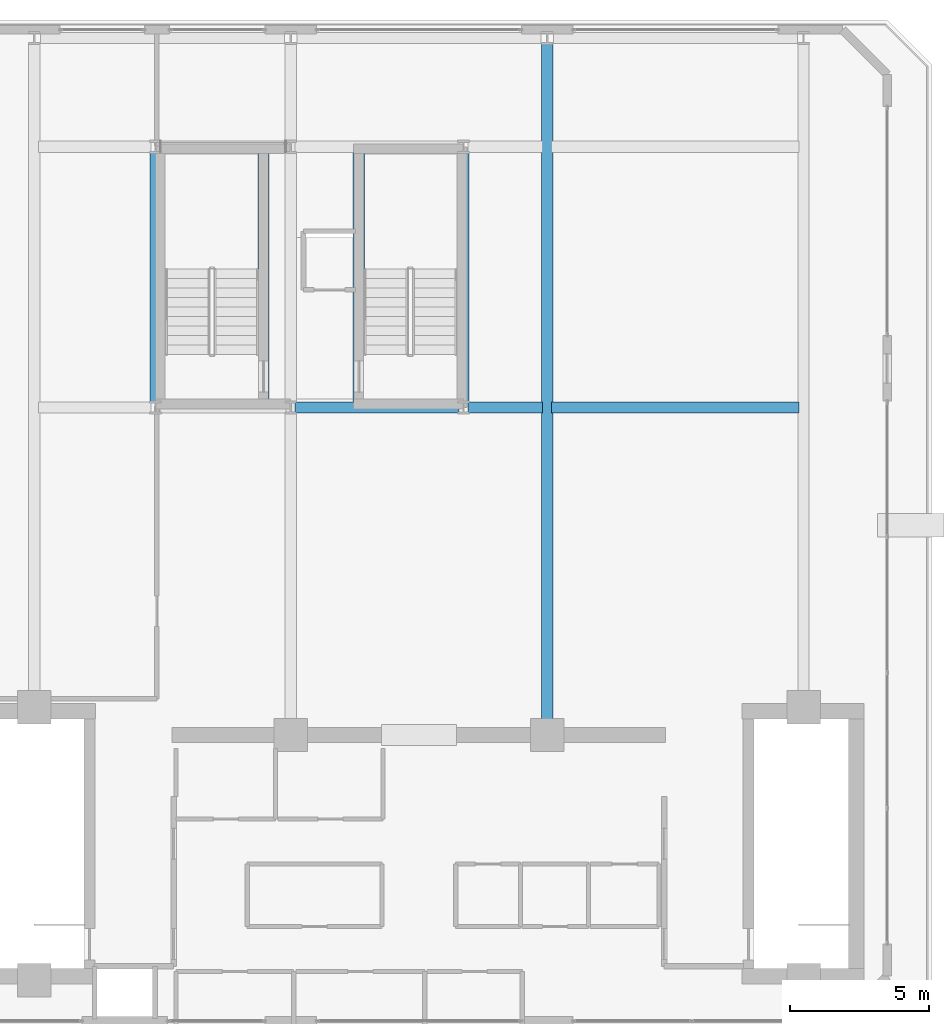
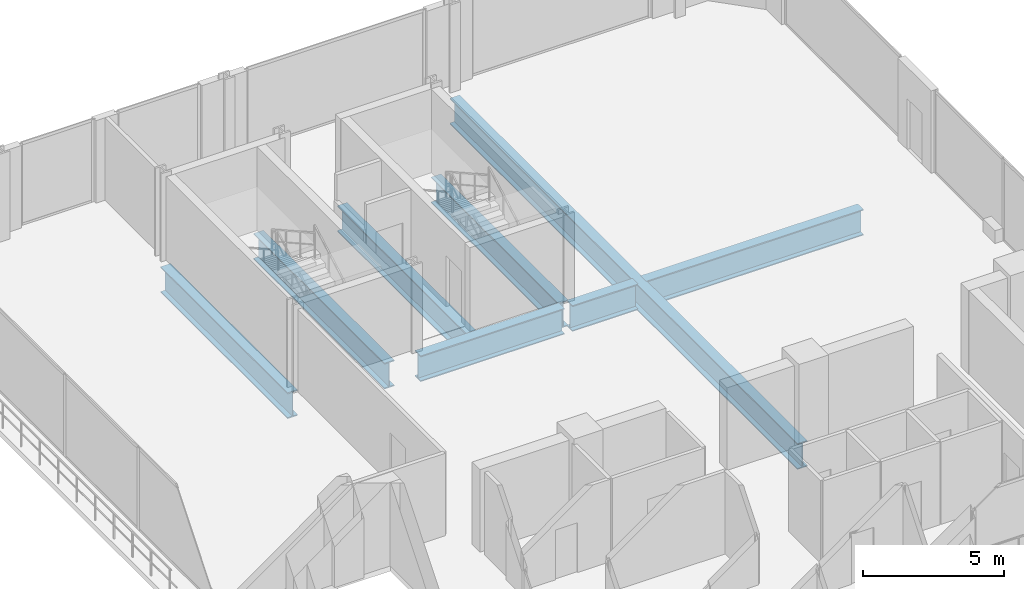
# One storey, part 11 of 26: 8 beams.
"""IFC4 building model written with IfcOpenShell, lengths in metres."""

import ifcopenshell
import ifcopenshell.guid

model = None  # the IFC model being written
_history = None  # IfcOwnerHistory: only IFC2X3 demands one
_inside = {}  # id of a spatial element -> (the spatial element, [elements in it])
_under = {}  # id of a project, library or spatial element -> (it, [spatial elements below it])
_declared = {}  # id of a project -> (the project, [libraries it declares])
_typed = {}  # id of a type object -> (the type object, [elements of that type])
_made_of = {}  # id of a material, layer set ... -> (it, [elements and type objects made of it])


def new_model(schema):
    """Start an empty IFC model of exactly this schema.

    Asked for "IFC4X3", IfcOpenShell would pick the latest addendum, in which some entities
    have other attributes; the version numbers below select the first issue.
    IFC2X3 requires an IfcOwnerHistory on every rooted entity: one is made here for all.
    """
    global model, _history
    if schema == "IFC4X3":
        model = ifcopenshell.file(schema_version=(4, 3, 0, 0))
    else:
        model = ifcopenshell.file(schema=schema)
    _inside.clear()
    _under.clear()
    _declared.clear()
    _typed.clear()
    _made_of.clear()
    _history = None
    if model.schema == "IFC2X3":
        org = make("IfcOrganization", Name="unknown")
        user = make(
            "IfcPersonAndOrganization",
            ThePerson=make("IfcPerson", FamilyName="unknown"),
            TheOrganization=org,
        )
        app = make(
            "IfcApplication",
            ApplicationDeveloper=org,
            Version="unknown",
            ApplicationFullName="unknown",
            ApplicationIdentifier="unknown",
        )
        _history = make(
            "IfcOwnerHistory",
            OwningUser=user,
            OwningApplication=app,
            ChangeAction="ADDED",
            CreationDate=0,
        )
    return model


def make(cls, **values):
    """One entity of the class cls with the attributes given. An attribute that is None is left unset."""
    return model.create_entity(
        cls, **{name: value for name, value in values.items() if value is not None}
    )


def rooted(cls, **values):
    """An entity with a GlobalId (a new one), such as an element, a storey or a relation."""
    return make(cls, GlobalId=ifcopenshell.guid.new(), OwnerHistory=_history, **values)


def si_unit(unit_type, name, prefix=None):
    """IfcSIUnit, for example si_unit("LENGTHUNIT", "METRE", prefix="MILLI")."""
    return make("IfcSIUnit", UnitType=unit_type, Prefix=prefix, Name=name)


def assignment(units):
    """IfcUnitAssignment: the units of a project."""
    return None if units is None else make("IfcUnitAssignment", Units=units)


def point(xyz):
    """IfcCartesianPoint."""
    return None if xyz is None else make("IfcCartesianPoint", Coordinates=xyz)


def direction(xyz):
    """IfcDirection."""
    return None if xyz is None else make("IfcDirection", DirectionRatios=xyz)


def frame(location, z_axis=None, x_axis=None):
    """IfcAxis2Placement3D, a coordinate frame: its origin and axes. An axis left out is left unset."""
    return make(
        "IfcAxis2Placement3D",
        Location=point(location),
        Axis=direction(z_axis),
        RefDirection=direction(x_axis),
    )


def frame_2d(location, x_axis=None):
    """IfcAxis2Placement2D, a coordinate frame in the plane: its origin and x axis."""
    return make(
        "IfcAxis2Placement2D", Location=point(location), RefDirection=direction(x_axis)
    )


def origin():
    """The frame at (0, 0, 0) with its axes left unset."""
    return frame((0.0, 0.0, 0.0))


def origin_2d():
    """The frame at (0, 0) in the plane with its x axis left unset."""
    return frame_2d((0.0, 0.0))


def place(relative_to, where):
    """IfcLocalPlacement: puts the frame where relative to a parent placement (None: the world)."""
    return make(
        "IfcLocalPlacement", PlacementRelTo=relative_to, RelativePlacement=where
    )


def context(
    kind, dimensions, precision=None, world=None, true_north=None, identifier=None
):
    """IfcGeometricRepresentationContext, for example the 3D "Model" context."""
    return make(
        "IfcGeometricRepresentationContext",
        ContextIdentifier=identifier,
        ContextType=kind,
        CoordinateSpaceDimension=dimensions,
        Precision=precision,
        WorldCoordinateSystem=world,
        TrueNorth=true_north,
    )


def subcontext(parent, identifier, kind, view, scale=None):
    """IfcGeometricRepresentationSubContext, for example "Body" below "Model"."""
    return make(
        "IfcGeometricRepresentationSubContext",
        ContextIdentifier=identifier,
        ContextType=kind,
        ParentContext=parent,
        TargetScale=scale,
        TargetView=view,
    )


def project(units=None, contexts=None):
    """IfcProject with its units and contexts."""
    return rooted(
        "IfcProject",
        Name="project",
        RepresentationContexts=contexts,
        UnitsInContext=assignment(units),
    )


def spatial(cls, under=None, at=None, **own):
    """A site, building, storey or space (cls), placed at a placement, below another one or the project."""
    s = rooted(cls, ObjectPlacement=at, **own)
    if under is not None:
        _under.setdefault(under.id(), (under, []))[1].append(s)
    return s


def profile(cls, at=None, kind="AREA", **sizes):
    """A parametric profile (cls). Its sizes go by their IFC names, for example OverallWidth=200.0."""
    return make(cls, ProfileType=kind, Position=at, **sizes)


def i_section(**sizes):
    """IfcIShapeProfileDef."""
    return profile("IfcIShapeProfileDef", **sizes)


def extrude(swept, where, along, depth):
    """IfcExtrudedAreaSolid: the profile swept, set in the frame where, extruded along a direction by depth."""
    return make(
        "IfcExtrudedAreaSolid",
        SweptArea=swept,
        Position=where,
        ExtrudedDirection=direction(along),
        Depth=depth,
    )


def shape(context_of_items, identifier, shape_type, items):
    """IfcShapeRepresentation: the items that make up one representation, for example the "Body"."""
    return make(
        "IfcShapeRepresentation",
        ContextOfItems=context_of_items,
        RepresentationIdentifier=identifier,
        RepresentationType=shape_type,
        Items=items,
    )


def material(Name=None, Category=None):
    """IfcMaterial."""
    return make("IfcMaterial", Name=Name, Category=Category)


def material_profile(
    of_material, cross_section, Name=None, Category=None, Priority=None
):
    """IfcMaterialProfile: a cross section and its material."""
    return make(
        "IfcMaterialProfile",
        Name=Name,
        Material=of_material,
        Profile=cross_section,
        Priority=Priority,
        Category=Category,
    )


def profile_set(profiles, Name=None, composite=None):
    """IfcMaterialProfileSet."""
    return make(
        "IfcMaterialProfileSet",
        Name=Name,
        MaterialProfiles=profiles,
        CompositeProfile=composite,
    )


def made_of(thing, what):
    """Note that an element or type object is made of a material, layer set ...; save() writes the relation."""
    if what is not None:
        _made_of.setdefault(what.id(), (what, []))[1].append(thing)
    return thing


def type_object(cls, material=None, **own):
    """A type object (cls), such as IfcWallType, which elements share."""
    return made_of(rooted(cls, **own), material)


def element(
    cls,
    number,
    at=None,
    inside=None,
    cuts=None,
    type_object=None,
    material=None,
    context=None,
    identifier="Body",
    shape_type=None,
    held_by="IfcProductDefinitionShape",
    body=None,
    shapes=None,
    **own,
):
    """One element of the class cls, such as IfcWall. Its Tag is "e" and its number.

    at: its placement. inside: the storey or other place that contains it. cuts: it is an
    opening in that element (IfcRelVoidsElement). A single representation is given by context,
    identifier, shape_type and body (its items); several are given by shapes. held_by: the class
    of the entity that holds the representations. save() writes the other relations.
    """
    e = rooted(cls, Tag="e%d" % number, ObjectPlacement=at, **own)
    if body is not None:
        shapes = [shape(context, identifier, shape_type, body)]
    if shapes is not None:
        e.Representation = make(held_by, Representations=shapes)
    if inside is not None:
        _inside.setdefault(inside.id(), (inside, []))[1].append(e)
    if cuts is not None:
        rooted(
            "IfcRelVoidsElement", RelatingBuildingElement=cuts, RelatedOpeningElement=e
        )
    if type_object is not None:
        _typed.setdefault(type_object.id(), (type_object, []))[1].append(e)
    return made_of(e, material)


def aggregate(whole, parts):
    """IfcRelAggregates: a whole, such as a stair, and the parts it consists of."""
    return rooted("IfcRelAggregates", RelatingObject=whole, RelatedObjects=parts)


def save(model, path):
    """Write the relations noted so far, then the file.

    IfcRelAggregates (storeys below a building ...), IfcRelContainedInSpatialStructure (elements
    in a storey), IfcRelDefinesByType, IfcRelAssociatesMaterial and IfcRelDeclares: one each for
    every whole, place, type object, material and project.
    """
    for whole, parts in _under.values():
        aggregate(whole, parts)
    for where, things in _inside.values():
        rooted(
            "IfcRelContainedInSpatialStructure",
            RelatedElements=things,
            RelatingStructure=where,
        )
    for kind, things in _typed.values():
        rooted("IfcRelDefinesByType", RelatedObjects=things, RelatingType=kind)
    for what, things in _made_of.values():
        rooted("IfcRelAssociatesMaterial", RelatedObjects=things, RelatingMaterial=what)
    for by, libraries in _declared.values():
        rooted("IfcRelDeclares", RelatingContext=by, RelatedDefinitions=libraries)
    model.write(path)


model = new_model("IFC4")

# Units and contexts
model_context = context("Model", 3, precision=1e-05, world=origin(), true_north=direction((0.0, 1.0)))
body_context = subcontext(model_context, "Body", "Model", "MODEL_VIEW")
ifc_project = project(units=[si_unit("LENGTHUNIT", "METRE"), si_unit("AREAUNIT", "SQUARE_METRE"), si_unit("VOLUMEUNIT", "CUBIC_METRE"), si_unit("PLANEANGLEUNIT", "RADIAN"), si_unit("MASSUNIT", "GRAM", prefix="KILO")], contexts=[model_context])

# Site, building, storey
site_placement = place(None, origin())
site = spatial("IfcSite", under=ifc_project, at=site_placement, CompositionType="ELEMENT")
building_placement = place(site_placement, origin())
building = spatial("IfcBuilding", under=site, at=building_placement, Name="Zuhayl Quay Hotel", CompositionType="ELEMENT")
storey_placement = place(building_placement, frame((0.0, 0.0, 301.050048828125)))
storey = spatial("IfcBuildingStorey", under=building, at=storey_placement, Name="Crown 2", CompositionType="ELEMENT", Elevation=301.050048828125)

# Beams
ifc_material = material(Name="Steel ASTM A913 Grade 65", Category="steel")
ifc_material_profile = material_profile(ifc_material, i_section(OverallWidth=0.404052734375, OverallDepth=1.117919921875, WebThickness=0.026123046875, FlangeThickness=0.044921875, at=origin_2d()), Name="W44X335")
ifc_profile_set = profile_set([ifc_material_profile], Name="Steel ASTM A913 Grade 65")
beam_type = type_object("IfcBeamType", Name="BM_TG1_W44X335", PredefinedType="BEAM", material=ifc_profile_set)
beam_1_placement = place(storey_placement, frame((4.60009765625, 13.550048828125, -0.799072265625), z_axis=(0.0, 1.0, 0.0), x_axis=(-1.0, 0.0, 0.0)))
element("IfcBeam", 1, at=beam_1_placement, inside=storey, type_object=beam_type, Name="Crown 2 Floor Beam CR_NS_2_3", PredefinedType="BEAM", context=body_context, shape_type="SweptSolid", body=[
    extrude(i_section(OverallWidth=0.404052734375, OverallDepth=1.117919921875, WebThickness=0.026123046875, FlangeThickness=0.044921875, at=origin_2d()), origin(), (0.0, 0.0, 1.0), 24.599853515625),
])
beam_2_placement = place(storey_placement, frame((-4.43994140625, 25.10009765625, -0.799072265625), z_axis=(1.0, 0.0, 0.0), x_axis=(0.0, 1.0, 0.0)))
element("IfcBeam", 2, at=beam_2_placement, inside=storey, type_object=beam_type, Name="Crown 2 Floor Beam CR_EW_2_1_3", PredefinedType="BEAM", context=body_context, shape_type="SweptSolid", body=[
    extrude(i_section(OverallWidth=0.404052734375, OverallDepth=1.117919921875, WebThickness=0.026123046875, FlangeThickness=0.044921875, at=origin_2d()), origin(), (0.0, 0.0, 1.0), 5.8798828125),
])
beam_3_placement = place(storey_placement, frame((1.760009765625, 25.10009765625, -0.799072265625), z_axis=(1.0, 0.0, 0.0), x_axis=(0.0, 1.0, 0.0)))
element("IfcBeam", 3, at=beam_3_placement, inside=storey, type_object=beam_type, Name="Crown 2 Floor Beam CR_EW_2_1_4", PredefinedType="BEAM", context=body_context, shape_type="SweptSolid", body=[
    extrude(i_section(OverallWidth=0.404052734375, OverallDepth=1.117919921875, WebThickness=0.026123046875, FlangeThickness=0.044921875, at=origin_2d()), origin(), (0.0, 0.0, 1.0), 2.679931640625),
])
beam_4_placement = place(storey_placement, frame((4.760009765625, 25.10009765625, -0.799072265625), z_axis=(1.0, 0.0, 0.0), x_axis=(0.0, 1.0, 0.0)))
element("IfcBeam", 4, at=beam_4_placement, inside=storey, type_object=beam_type, Name="Crown 2 Floor Beam CR_EW_2_1_5", PredefinedType="BEAM", context=body_context, shape_type="SweptSolid", body=[
    extrude(i_section(OverallWidth=0.404052734375, OverallDepth=1.117919921875, WebThickness=0.026123046875, FlangeThickness=0.044921875, at=origin_2d()), origin(), (0.0, 0.0, 1.0), 8.8798828125),
])
beam_5_placement = place(storey_placement, frame((-5.574951171875, 25.14990234375, -0.799072265625), z_axis=(0.0, 1.0, 0.0), x_axis=(-1.0, 0.0, 0.0)))
element("IfcBeam", 5, at=beam_5_placement, inside=storey, type_object=beam_type, Name="Crown 2 Floor Beam CR_ST5_SUP_E", PredefinedType="BEAM", context=body_context, shape_type="SweptSolid", body=[
    extrude(i_section(OverallWidth=0.404052734375, OverallDepth=1.117919921875, WebThickness=0.026123046875, FlangeThickness=0.044921875, at=origin_2d()), origin(), (0.0, 0.0, 1.0), 9.25),
])
beam_6_placement = place(storey_placement, frame((-9.449951171875, 25.280029296875, -0.799072265625), z_axis=(0.0, 1.0, 0.0), x_axis=(-1.0, 0.0, 0.0)))
element("IfcBeam", 6, at=beam_6_placement, inside=storey, type_object=beam_type, Name="Crown 2 Floor Beam CR_ST5_SUP_W", PredefinedType="BEAM", context=body_context, shape_type="SweptSolid", body=[
    extrude(i_section(OverallWidth=0.404052734375, OverallDepth=1.117919921875, WebThickness=0.026123046875, FlangeThickness=0.044921875, at=origin_2d()), origin(), (0.0, 0.0, 1.0), 8.989990234375),
])
beam_7_placement = place(storey_placement, frame((-2.155029296875, 25.14990234375, -0.799072265625), z_axis=(0.0, 1.0, 0.0), x_axis=(-1.0, 0.0, 0.0)))
element("IfcBeam", 7, at=beam_7_placement, inside=storey, type_object=beam_type, Name="Crown 2 Floor Beam CR_ST6_SUP_W", PredefinedType="BEAM", context=body_context, shape_type="SweptSolid", body=[
    extrude(i_section(OverallWidth=0.404052734375, OverallDepth=1.117919921875, WebThickness=0.026123046875, FlangeThickness=0.044921875, at=origin_2d()), origin(), (0.0, 0.0, 1.0), 9.25),
])
beam_8_placement = place(storey_placement, frame((1.60009765625, 25.280029296875, -0.799072265625), z_axis=(0.0, 1.0, 0.0), x_axis=(-1.0, 0.0, 0.0)))
element("IfcBeam", 8, at=beam_8_placement, inside=storey, type_object=beam_type, Name="Crown 2 Floor Beam CR_ST6_SUP_E", PredefinedType="BEAM", context=body_context, shape_type="SweptSolid", body=[
    extrude(i_section(OverallWidth=0.404052734375, OverallDepth=1.117919921875, WebThickness=0.026123046875, FlangeThickness=0.044921875, at=origin_2d()), origin(), (0.0, 0.0, 1.0), 8.989990234375),
])

save(model, "model.ifc")
